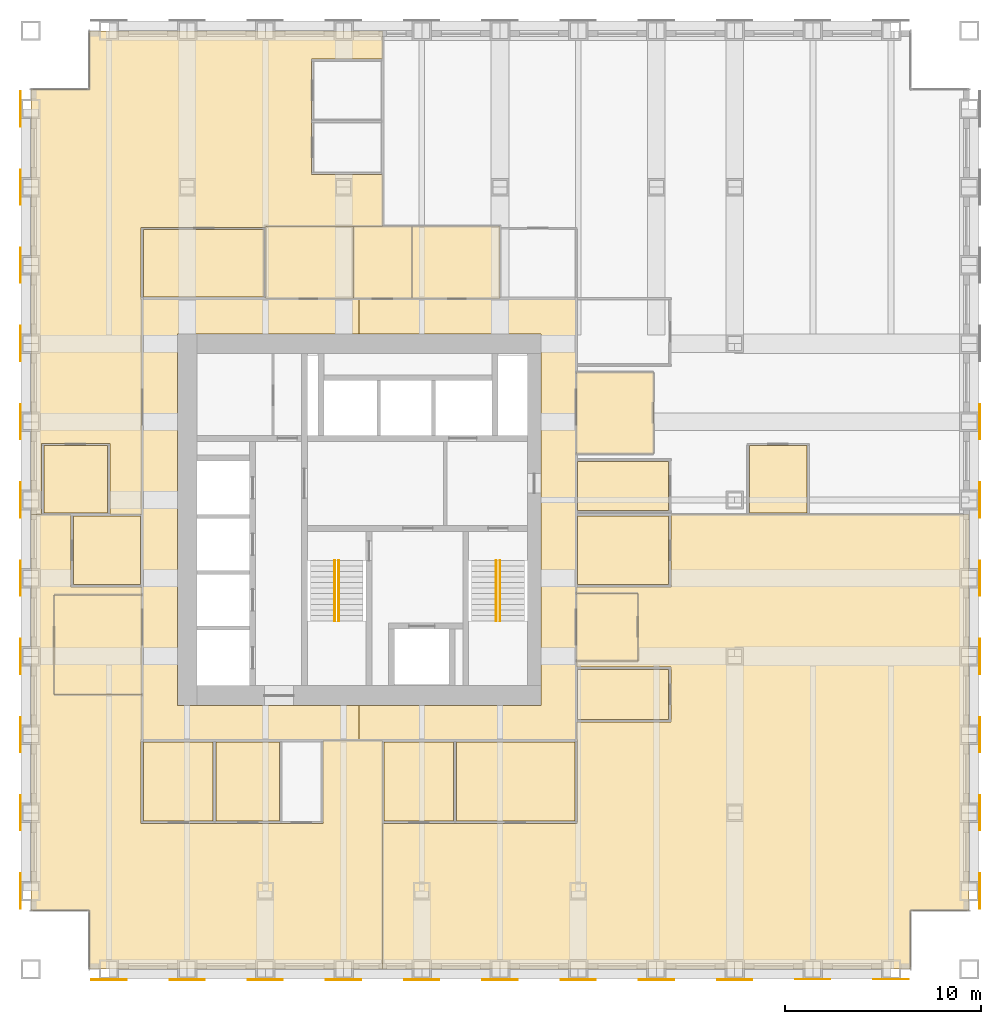
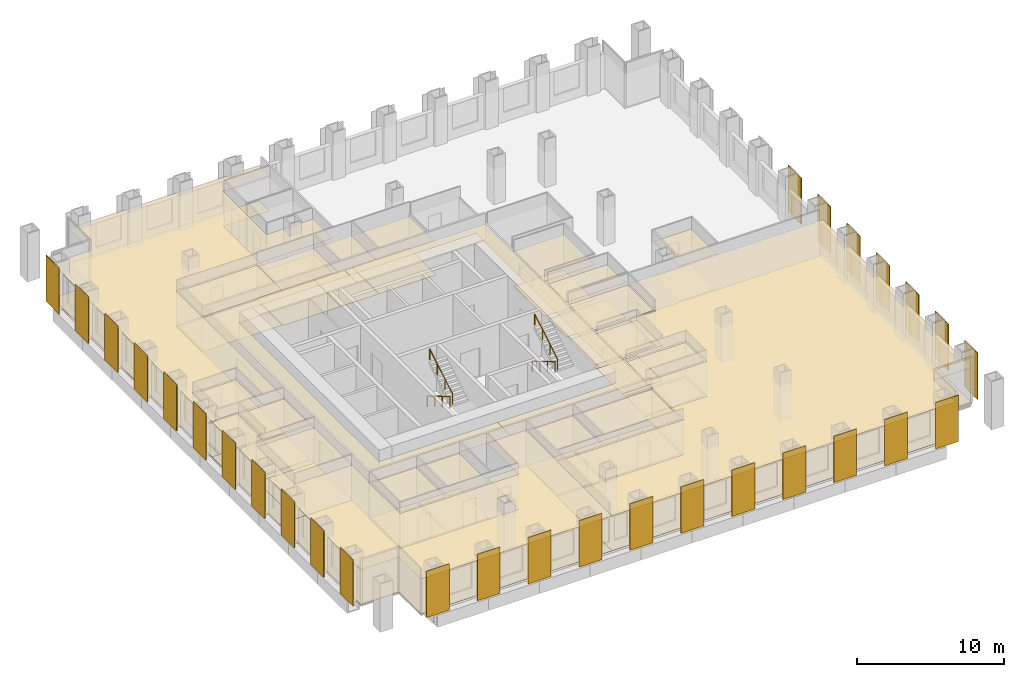
# One storey, part 15 of 16: 42 coverings, 29 shading devices, 4 railings.
"""IFC4 building model written with IfcOpenShell, lengths in metres."""

from ifc_helpers import new_model, si_unit, direction, frame, origin, origin_2d, place, context, subcontext, project, spatial, polyline, rectangle, circle, outline, extrude, material, layer, layer_set, type_object, element, save


model = new_model("IFC4")

# Units and contexts
model_context = context("Model", 3, precision=1e-05, world=origin(), true_north=direction((0.0, 1.0)))
body_context = subcontext(model_context, "Body", "Model", "MODEL_VIEW")
ifc_project = project(units=[si_unit("LENGTHUNIT", "METRE"), si_unit("AREAUNIT", "SQUARE_METRE"), si_unit("VOLUMEUNIT", "CUBIC_METRE"), si_unit("PLANEANGLEUNIT", "RADIAN"), si_unit("MASSUNIT", "GRAM", prefix="KILO")], contexts=[model_context])

# Site, building, storey
site_placement = place(None, origin())
site = spatial("IfcSite", under=ifc_project, at=site_placement, CompositionType="ELEMENT")
building_placement = place(site_placement, origin())
building = spatial("IfcBuilding", under=site, at=building_placement, Name="Rimbunsela Tower", CompositionType="ELEMENT")
storey_placement = place(building_placement, frame((0.0, 0.0, 125.39990234375)))
storey = spatial("IfcBuildingStorey", under=building, at=storey_placement, Name="L30", CompositionType="ELEMENT", Elevation=125.39990234375)

# Coverings
ifc_material_1 = material(Name="Nylon carpet tile", Category="textile")
ifc_layer_1 = layer(ifc_material_1, 0.010009765625)
ifc_layer_set_1 = layer_set([ifc_layer_1], Name="Carpet tile 10")
covering_type_1 = type_object("IfcCoveringType", Name="Carpet tile 10", PredefinedType="FLOORING", material=ifc_layer_set_1)
covering_1_placement = place(storey_placement, origin())
element("IfcCovering", 1, at=covering_1_placement, inside=storey, type_object=covering_type_1, Name="Floor finish Open office", PredefinedType="FLOORING", context=body_context, shape_type="SweptSolid", body=[
    extrude(outline(polyline([(19.449951171875, 11.449951171875), (22.75, 11.449951171875), (22.85009765625, 11.449951171875), (24.949951171875, 11.449951171875), (24.949951171875, 15.699951171875), (27.9990234375, 15.699951171875), (27.9990234375, 4.0), (15.699951171875, 4.0), (13.0, 4.0), (13.0, 7.0), (10.0, 7.0), (10.0, 27.2490234375), (12.050048828125, 27.2490234375), (12.050048828125, 23.549072265625), (15.699951171875, 23.549072265625), (15.699951171875, 23.14892578125), (11.199951171875, 23.14892578125), (11.199951171875, 18.049072265625), (15.699951171875, 18.049072265625), (15.699951171875, 15.75), (15.64990234375, 15.75), (15.64990234375, 11.449951171875), (15.699951171875, 11.449951171875), (19.35009765625, 11.449951171875), (19.449951171875, 11.449951171875)])), origin(), (0.0, 0.0, 1.0), 0.010009765625),
])
covering_2_placement = place(storey_placement, origin())
element("IfcCovering", 2, at=covering_2_placement, inside=storey, type_object=covering_type_1, Name="Floor finish Open office", PredefinedType="FLOORING", context=body_context, shape_type="SweptSolid", body=[
    extrude(outline(polyline([(15.64990234375, 41.949951171875), (15.64990234375, 38.25), (15.699951171875, 38.25), (15.699951171875, 27.2509765625), (14.050048828125, 27.2509765625), (14.050048828125, 30.89990234375), (10.550048828125, 30.89990234375), (10.550048828125, 27.2509765625), (10.0, 27.2509765625), (10.0, 49.0), (13.0, 49.0), (13.0, 52.0), (15.699951171875, 52.0), (27.9990234375, 52.0), (27.9990234375, 50.550048828125), (24.35009765625, 50.550048828125), (24.35009765625, 47.39990234375), (24.35009765625, 47.35009765625), (24.35009765625, 44.64990234375), (27.9990234375, 44.64990234375), (27.9990234375, 42.0), (22.0, 42.0), (22.0, 41.949951171875), (15.699951171875, 41.949951171875), (15.64990234375, 41.949951171875)])), origin(), (0.0, 0.0, 1.0), 0.010009765625),
])
covering_3_placement = place(storey_placement, origin())
element("IfcCovering", 3, at=covering_3_placement, inside=storey, type_object=covering_type_1, Name="Floor finish Open office", PredefinedType="FLOORING", context=body_context, shape_type="SweptSolid", body=[
    extrude(outline(polyline([(28.0009765625, 11.449951171875), (31.65087890625, 11.449951171875), (31.7509765625, 11.449951171875), (37.89990234375, 11.449951171875), (37.949951171875, 11.449951171875), (37.949951171875, 15.75), (37.89990234375, 15.75), (37.89990234375, 16.64990234375), (42.75, 16.64990234375), (42.75, 19.448974609375), (37.89990234375, 19.448974609375), (37.89990234375, 19.77392578125), (41.050048828125, 19.77392578125), (41.050048828125, 23.22412109375), (37.89990234375, 23.22412109375), (37.89990234375, 23.549072265625), (42.75, 23.549072265625), (42.75, 27.2490234375), (58.0, 27.2490234375), (58.0, 7.0), (55.0, 7.0), (55.0, 4.0), (37.89990234375, 4.0), (28.0009765625, 4.0), (28.0009765625, 11.449951171875)])), origin(), (0.0, 0.0, 1.0), 0.010009765625),
])
covering_4_placement = place(storey_placement, origin())
element("IfcCovering", 4, at=covering_4_placement, inside=storey, type_object=covering_type_1, Name="Floor finish Reception", PredefinedType="FLOORING", context=body_context, shape_type="SweptSolid", body=[
    extrude(outline(polyline([(15.699951171875, 18.049072265625), (15.699951171875, 23.14892578125), (11.199951171875, 23.14892578125), (11.199951171875, 18.049072265625), (15.699951171875, 18.049072265625)])), origin(), (0.0, 0.0, 1.0), 0.010009765625),
])
covering_5_placement = place(storey_placement, origin())
element("IfcCovering", 5, at=covering_5_placement, inside=storey, type_object=covering_type_1, Name="Floor finish Reception", PredefinedType="FLOORING", context=body_context, shape_type="SweptSolid", body=[
    extrude(outline(polyline([(41.050048828125, 19.77392578125), (41.050048828125, 23.22412109375), (37.89990234375, 23.22412109375), (37.89990234375, 19.77392578125), (41.050048828125, 19.77392578125)])), origin(), (0.0, 0.0, 1.0), 0.010009765625),
])
covering_6_placement = place(storey_placement, origin())
element("IfcCovering", 6, at=covering_6_placement, inside=storey, type_object=covering_type_1, Name="Floor finish Reception", PredefinedType="FLOORING", context=body_context, shape_type="SweptSolid", body=[
    extrude(outline(polyline([(41.85009765625, 30.3759765625), (41.85009765625, 34.52587890625), (37.89990234375, 34.52587890625), (37.89990234375, 30.3759765625), (41.85009765625, 30.3759765625)])), origin(), (0.0, 0.0, 1.0), 0.010009765625),
])
covering_7_placement = place(storey_placement, origin())
element("IfcCovering", 7, at=covering_7_placement, inside=storey, type_object=covering_type_1, Name="Floor finish Meeting room", PredefinedType="FLOORING", context=body_context, shape_type="SweptSolid", body=[
    extrude(outline(polyline([(19.324951171875, 11.574951171875), (19.324951171875, 15.625), (15.77490234375, 15.625), (15.77490234375, 11.574951171875), (19.324951171875, 11.574951171875)])), origin(), (0.0, 0.0, 1.0), 0.010009765625),
])
covering_8_placement = place(storey_placement, origin())
element("IfcCovering", 8, at=covering_8_placement, inside=storey, type_object=covering_type_1, Name="Floor finish Pantry", PredefinedType="FLOORING", context=body_context, shape_type="SweptSolid", body=[
    extrude(outline(polyline([(22.72509765625, 11.574951171875), (22.72509765625, 15.625), (19.47509765625, 15.625), (19.47509765625, 11.574951171875), (22.72509765625, 11.574951171875)])), origin(), (0.0, 0.0, 1.0), 0.010009765625),
])
covering_9_placement = place(storey_placement, origin())
element("IfcCovering", 9, at=covering_9_placement, inside=storey, type_object=covering_type_1, Name="Floor finish Office", PredefinedType="FLOORING", context=body_context, shape_type="SweptSolid", body=[
    extrude(outline(polyline([(15.625, 23.674072265625), (15.625, 27.174072265625), (12.175048828125, 27.174072265625), (12.175048828125, 23.674072265625), (15.625, 23.674072265625)])), origin(), (0.0, 0.0, 1.0), 0.010009765625),
])
covering_10_placement = place(storey_placement, origin())
element("IfcCovering", 10, at=covering_10_placement, inside=storey, type_object=covering_type_1, Name="Floor finish Meeting room", PredefinedType="FLOORING", context=body_context, shape_type="SweptSolid", body=[
    extrude(outline(polyline([(21.925048828125, 38.375), (21.925048828125, 41.824951171875), (15.77490234375, 41.824951171875), (15.77490234375, 38.375), (21.925048828125, 38.375)])), origin(), (0.0, 0.0, 1.0), 0.010009765625),
])
covering_11_placement = place(storey_placement, origin())
element("IfcCovering", 11, at=covering_11_placement, inside=storey, type_object=covering_type_1, Name="Floor finish Meeting room", PredefinedType="FLOORING", context=body_context, shape_type="SweptSolid", body=[
    extrude(outline(polyline([(31.6259765625, 11.574951171875), (31.6259765625, 15.625), (28.075927734375, 15.625), (28.075927734375, 11.574951171875), (31.6259765625, 11.574951171875)])), origin(), (0.0, 0.0, 1.0), 0.010009765625),
])
covering_12_placement = place(storey_placement, origin())
element("IfcCovering", 12, at=covering_12_placement, inside=storey, type_object=covering_type_1, Name="Floor finish Pantry", PredefinedType="FLOORING", context=body_context, shape_type="SweptSolid", body=[
    extrude(outline(polyline([(37.824951171875, 11.574951171875), (37.824951171875, 15.625), (31.77587890625, 15.625), (31.77587890625, 11.574951171875), (37.824951171875, 11.574951171875)])), origin(), (0.0, 0.0, 1.0), 0.010009765625),
])
covering_13_placement = place(storey_placement, origin())
element("IfcCovering", 13, at=covering_13_placement, inside=storey, type_object=covering_type_1, Name="Floor finish Print and copy room", PredefinedType="FLOORING", context=body_context, shape_type="SweptSolid", body=[
    extrude(outline(polyline([(42.625, 16.77490234375), (42.625, 19.323974609375), (37.97509765625, 19.323974609375), (37.97509765625, 16.77490234375), (42.625, 16.77490234375)])), origin(), (0.0, 0.0, 1.0), 0.010009765625),
])
covering_14_placement = place(storey_placement, origin())
element("IfcCovering", 14, at=covering_14_placement, inside=storey, type_object=covering_type_1, Name="Floor finish Office", PredefinedType="FLOORING", context=body_context, shape_type="SweptSolid", body=[
    extrude(outline(polyline([(42.625, 23.674072265625), (42.625, 27.174072265625), (37.97509765625, 27.174072265625), (37.97509765625, 23.674072265625), (42.625, 23.674072265625)])), origin(), (0.0, 0.0, 1.0), 0.010009765625),
])
covering_15_placement = place(storey_placement, origin())
element("IfcCovering", 15, at=covering_15_placement, inside=storey, type_object=covering_type_1, Name="Floor finish Pantry", PredefinedType="FLOORING", context=body_context, shape_type="SweptSolid", body=[
    extrude(outline(polyline([(13.925048828125, 27.324951171875), (13.925048828125, 30.77490234375), (10.675048828125, 30.77490234375), (10.675048828125, 27.324951171875), (13.925048828125, 27.324951171875)])), origin(), (0.0, 0.0, 1.0), 0.010009765625),
])
covering_16_placement = place(storey_placement, origin())
element("IfcCovering", 16, at=covering_16_placement, inside=storey, type_object=covering_type_1, Name="Floor finish Print and copy room", PredefinedType="FLOORING", context=body_context, shape_type="SweptSolid", body=[
    extrude(outline(polyline([(42.625, 27.47509765625), (42.625, 29.97509765625), (37.97509765625, 29.97509765625), (37.97509765625, 27.47509765625), (42.625, 27.47509765625)])), origin(), (0.0, 0.0, 1.0), 0.010009765625),
])
covering_17_placement = place(storey_placement, origin())
element("IfcCovering", 17, at=covering_17_placement, inside=storey, type_object=covering_type_1, Name="Floor finish Office", PredefinedType="FLOORING", context=body_context, shape_type="SweptSolid", body=[
    extrude(outline(polyline([(49.699951171875, 27.324951171875), (49.699951171875, 30.77490234375), (46.75, 30.77490234375), (46.75, 27.324951171875), (49.699951171875, 27.324951171875)])), origin(), (0.0, 0.0, 1.0), 0.010009765625),
])
ifc_material_2 = material(Name="Mineral fibre ceiling tile", Category="gypsum")
ifc_layer_2 = layer(ifc_material_2, 0.02001953125)
ifc_layer_set_2 = layer_set([ifc_layer_2], Name="Ceiling 600 grid")
covering_type_2 = type_object("IfcCoveringType", Name="Ceiling 600 grid", PredefinedType="CEILING", material=ifc_layer_set_2)
covering_18_placement = place(storey_placement, frame((0.0, 0.0, 2.900146484375)))
element("IfcCovering", 18, at=covering_18_placement, inside=storey, type_object=covering_type_2, Name="Ceiling Ring corridor", PredefinedType="CEILING", context=body_context, shape_type="SweptSolid", body=[
    extrude(outline(polyline([(15.699951171875, 38.300048828125), (26.800048828125, 38.300048828125), (26.800048828125, 36.5), (17.5, 36.5), (17.5, 17.5), (26.800048828125, 17.5), (26.800048828125, 15.699951171875), (15.699951171875, 15.699951171875), (15.699951171875, 38.300048828125)])), origin(), (0.0, 0.0, 1.0), 0.02001953125),
])
covering_19_placement = place(storey_placement, frame((0.0, 0.0, 2.900146484375)))
element("IfcCovering", 19, at=covering_19_placement, inside=storey, type_object=covering_type_2, Name="Ceiling Ring corridor", PredefinedType="CEILING", context=body_context, shape_type="SweptSolid", body=[
    extrude(outline(polyline([(37.89990234375, 38.300048828125), (37.89990234375, 15.699951171875), (26.800048828125, 15.699951171875), (26.800048828125, 17.5), (36.10009765625, 17.5), (36.10009765625, 36.5), (26.800048828125, 36.5), (26.800048828125, 38.300048828125), (37.89990234375, 38.300048828125)])), origin(), (0.0, 0.0, 1.0), 0.02001953125),
])
covering_20_placement = place(storey_placement, frame((0.0, 0.0, 2.900146484375)))
element("IfcCovering", 20, at=covering_20_placement, inside=storey, type_object=covering_type_2, Name="Ceiling Open office", PredefinedType="CEILING", context=body_context, shape_type="SweptSolid", body=[
    extrude(outline(polyline([(19.449951171875, 11.449951171875), (22.75, 11.449951171875), (22.85009765625, 11.449951171875), (24.949951171875, 11.449951171875), (24.949951171875, 15.699951171875), (27.9990234375, 15.699951171875), (27.9990234375, 4.0), (15.699951171875, 4.0), (13.0, 4.0), (13.0, 7.0), (10.0, 7.0), (10.0, 27.2490234375), (12.050048828125, 27.2490234375), (12.050048828125, 23.549072265625), (15.699951171875, 23.549072265625), (15.699951171875, 23.14892578125), (11.199951171875, 23.14892578125), (11.199951171875, 18.049072265625), (15.699951171875, 18.049072265625), (15.699951171875, 15.75), (15.64990234375, 15.75), (15.64990234375, 11.449951171875), (15.699951171875, 11.449951171875), (19.35009765625, 11.449951171875), (19.449951171875, 11.449951171875)])), origin(), (0.0, 0.0, 1.0), 0.02001953125),
])
covering_21_placement = place(storey_placement, frame((0.0, 0.0, 2.900146484375)))
element("IfcCovering", 21, at=covering_21_placement, inside=storey, type_object=covering_type_2, Name="Ceiling Open office", PredefinedType="CEILING", context=body_context, shape_type="SweptSolid", body=[
    extrude(outline(polyline([(15.64990234375, 41.949951171875), (15.64990234375, 38.25), (15.699951171875, 38.25), (15.699951171875, 27.2509765625), (14.050048828125, 27.2509765625), (14.050048828125, 30.89990234375), (10.550048828125, 30.89990234375), (10.550048828125, 27.2509765625), (10.0, 27.2509765625), (10.0, 49.0), (13.0, 49.0), (13.0, 52.0), (15.699951171875, 52.0), (27.9990234375, 52.0), (27.9990234375, 50.550048828125), (24.35009765625, 50.550048828125), (24.35009765625, 47.39990234375), (24.35009765625, 47.35009765625), (24.35009765625, 44.64990234375), (27.9990234375, 44.64990234375), (27.9990234375, 42.0), (22.0, 42.0), (22.0, 41.949951171875), (15.699951171875, 41.949951171875), (15.64990234375, 41.949951171875)])), origin(), (0.0, 0.0, 1.0), 0.02001953125),
])
covering_22_placement = place(storey_placement, frame((0.0, 0.0, 2.900146484375)))
element("IfcCovering", 22, at=covering_22_placement, inside=storey, type_object=covering_type_2, Name="Ceiling Open office", PredefinedType="CEILING", context=body_context, shape_type="SweptSolid", body=[
    extrude(outline(polyline([(28.0009765625, 11.449951171875), (31.65087890625, 11.449951171875), (31.7509765625, 11.449951171875), (37.89990234375, 11.449951171875), (37.949951171875, 11.449951171875), (37.949951171875, 15.75), (37.89990234375, 15.75), (37.89990234375, 16.64990234375), (42.75, 16.64990234375), (42.75, 19.448974609375), (37.89990234375, 19.448974609375), (37.89990234375, 19.77392578125), (41.050048828125, 19.77392578125), (41.050048828125, 23.22412109375), (37.89990234375, 23.22412109375), (37.89990234375, 23.549072265625), (42.75, 23.549072265625), (42.75, 27.2490234375), (58.0, 27.2490234375), (58.0, 7.0), (55.0, 7.0), (55.0, 4.0), (37.89990234375, 4.0), (28.0009765625, 4.0), (28.0009765625, 11.449951171875)])), origin(), (0.0, 0.0, 1.0), 0.02001953125),
])
covering_23_placement = place(storey_placement, frame((0.0, 0.0, 2.900146484375)))
element("IfcCovering", 23, at=covering_23_placement, inside=storey, type_object=covering_type_2, Name="Ceiling Reception", PredefinedType="CEILING", context=body_context, shape_type="SweptSolid", body=[
    extrude(outline(polyline([(15.699951171875, 18.049072265625), (15.699951171875, 23.14892578125), (11.199951171875, 23.14892578125), (11.199951171875, 18.049072265625), (15.699951171875, 18.049072265625)])), origin(), (0.0, 0.0, 1.0), 0.02001953125),
])
covering_24_placement = place(storey_placement, frame((0.0, 0.0, 2.900146484375)))
element("IfcCovering", 24, at=covering_24_placement, inside=storey, type_object=covering_type_2, Name="Ceiling Reception", PredefinedType="CEILING", context=body_context, shape_type="SweptSolid", body=[
    extrude(outline(polyline([(41.050048828125, 19.77392578125), (41.050048828125, 23.22412109375), (37.89990234375, 23.22412109375), (37.89990234375, 19.77392578125), (41.050048828125, 19.77392578125)])), origin(), (0.0, 0.0, 1.0), 0.02001953125),
])
covering_25_placement = place(storey_placement, frame((0.0, 0.0, 2.900146484375)))
element("IfcCovering", 25, at=covering_25_placement, inside=storey, type_object=covering_type_2, Name="Ceiling Reception", PredefinedType="CEILING", context=body_context, shape_type="SweptSolid", body=[
    extrude(outline(polyline([(41.85009765625, 30.3759765625), (41.85009765625, 34.52587890625), (37.89990234375, 34.52587890625), (37.89990234375, 30.3759765625), (41.85009765625, 30.3759765625)])), origin(), (0.0, 0.0, 1.0), 0.02001953125),
])
covering_26_placement = place(storey_placement, frame((0.0, 0.0, 2.900146484375)))
element("IfcCovering", 26, at=covering_26_placement, inside=storey, type_object=covering_type_2, Name="Ceiling Meeting room", PredefinedType="CEILING", context=body_context, shape_type="SweptSolid", body=[
    extrude(outline(polyline([(19.324951171875, 11.574951171875), (19.324951171875, 15.625), (15.77490234375, 15.625), (15.77490234375, 11.574951171875), (19.324951171875, 11.574951171875)])), origin(), (0.0, 0.0, 1.0), 0.02001953125),
])
covering_27_placement = place(storey_placement, frame((0.0, 0.0, 2.900146484375)))
element("IfcCovering", 27, at=covering_27_placement, inside=storey, type_object=covering_type_2, Name="Ceiling Pantry", PredefinedType="CEILING", context=body_context, shape_type="SweptSolid", body=[
    extrude(outline(polyline([(22.72509765625, 11.574951171875), (22.72509765625, 15.625), (19.47509765625, 15.625), (19.47509765625, 11.574951171875), (22.72509765625, 11.574951171875)])), origin(), (0.0, 0.0, 1.0), 0.02001953125),
])
covering_28_placement = place(storey_placement, frame((0.0, 0.0, 2.900146484375)))
element("IfcCovering", 28, at=covering_28_placement, inside=storey, type_object=covering_type_2, Name="Ceiling Office", PredefinedType="CEILING", context=body_context, shape_type="SweptSolid", body=[
    extrude(outline(polyline([(15.625, 23.674072265625), (15.625, 27.174072265625), (12.175048828125, 27.174072265625), (12.175048828125, 23.674072265625), (15.625, 23.674072265625)])), origin(), (0.0, 0.0, 1.0), 0.02001953125),
])
covering_29_placement = place(storey_placement, frame((0.0, 0.0, 2.900146484375)))
element("IfcCovering", 29, at=covering_29_placement, inside=storey, type_object=covering_type_2, Name="Ceiling Meeting room", PredefinedType="CEILING", context=body_context, shape_type="SweptSolid", body=[
    extrude(outline(polyline([(21.925048828125, 38.375), (21.925048828125, 41.824951171875), (15.77490234375, 41.824951171875), (15.77490234375, 38.375), (21.925048828125, 38.375)])), origin(), (0.0, 0.0, 1.0), 0.02001953125),
])
covering_30_placement = place(storey_placement, frame((0.0, 0.0, 2.900146484375)))
element("IfcCovering", 30, at=covering_30_placement, inside=storey, type_object=covering_type_2, Name="Ceiling Meeting room", PredefinedType="CEILING", context=body_context, shape_type="SweptSolid", body=[
    extrude(outline(polyline([(31.6259765625, 11.574951171875), (31.6259765625, 15.625), (28.075927734375, 15.625), (28.075927734375, 11.574951171875), (31.6259765625, 11.574951171875)])), origin(), (0.0, 0.0, 1.0), 0.02001953125),
])
covering_31_placement = place(storey_placement, frame((0.0, 0.0, 2.900146484375)))
element("IfcCovering", 31, at=covering_31_placement, inside=storey, type_object=covering_type_2, Name="Ceiling Pantry", PredefinedType="CEILING", context=body_context, shape_type="SweptSolid", body=[
    extrude(outline(polyline([(37.824951171875, 11.574951171875), (37.824951171875, 15.625), (31.77587890625, 15.625), (31.77587890625, 11.574951171875), (37.824951171875, 11.574951171875)])), origin(), (0.0, 0.0, 1.0), 0.02001953125),
])
covering_32_placement = place(storey_placement, frame((0.0, 0.0, 2.900146484375)))
element("IfcCovering", 32, at=covering_32_placement, inside=storey, type_object=covering_type_2, Name="Ceiling Print and copy room", PredefinedType="CEILING", context=body_context, shape_type="SweptSolid", body=[
    extrude(outline(polyline([(42.625, 16.77490234375), (42.625, 19.323974609375), (37.97509765625, 19.323974609375), (37.97509765625, 16.77490234375), (42.625, 16.77490234375)])), origin(), (0.0, 0.0, 1.0), 0.02001953125),
])
covering_33_placement = place(storey_placement, frame((0.0, 0.0, 2.900146484375)))
element("IfcCovering", 33, at=covering_33_placement, inside=storey, type_object=covering_type_2, Name="Ceiling Office", PredefinedType="CEILING", context=body_context, shape_type="SweptSolid", body=[
    extrude(outline(polyline([(42.625, 23.674072265625), (42.625, 27.174072265625), (37.97509765625, 27.174072265625), (37.97509765625, 23.674072265625), (42.625, 23.674072265625)])), origin(), (0.0, 0.0, 1.0), 0.02001953125),
])
covering_34_placement = place(storey_placement, frame((0.0, 0.0, 2.900146484375)))
element("IfcCovering", 34, at=covering_34_placement, inside=storey, type_object=covering_type_2, Name="Ceiling Pantry", PredefinedType="CEILING", context=body_context, shape_type="SweptSolid", body=[
    extrude(outline(polyline([(13.925048828125, 27.324951171875), (13.925048828125, 30.77490234375), (10.675048828125, 30.77490234375), (10.675048828125, 27.324951171875), (13.925048828125, 27.324951171875)])), origin(), (0.0, 0.0, 1.0), 0.02001953125),
])
covering_35_placement = place(storey_placement, frame((0.0, 0.0, 2.900146484375)))
element("IfcCovering", 35, at=covering_35_placement, inside=storey, type_object=covering_type_2, Name="Ceiling Print and copy room", PredefinedType="CEILING", context=body_context, shape_type="SweptSolid", body=[
    extrude(outline(polyline([(42.625, 27.47509765625), (42.625, 29.97509765625), (37.97509765625, 29.97509765625), (37.97509765625, 27.47509765625), (42.625, 27.47509765625)])), origin(), (0.0, 0.0, 1.0), 0.02001953125),
])
covering_36_placement = place(storey_placement, frame((0.0, 0.0, 2.900146484375)))
element("IfcCovering", 36, at=covering_36_placement, inside=storey, type_object=covering_type_2, Name="Ceiling Office", PredefinedType="CEILING", context=body_context, shape_type="SweptSolid", body=[
    extrude(outline(polyline([(49.699951171875, 27.324951171875), (49.699951171875, 30.77490234375), (46.75, 30.77490234375), (46.75, 27.324951171875), (49.699951171875, 27.324951171875)])), origin(), (0.0, 0.0, 1.0), 0.02001953125),
])
ifc_material_3 = material(Name="Moisture-resistant plasterboard ceiling", Category="gypsum")
ifc_layer_3 = layer(ifc_material_3, 0.012451171875)
ifc_layer_set_3 = layer_set([ifc_layer_3], Name="Ceiling moisture-resistant board")
covering_type_3 = type_object("IfcCoveringType", Name="Ceiling moisture-resistant board", PredefinedType="CEILING", material=ifc_layer_set_3)
covering_37_placement = place(storey_placement, frame((0.0, 0.0, 2.60009765625)))
element("IfcCovering", 37, at=covering_37_placement, inside=storey, type_object=covering_type_3, Name="Ceiling Female WC", PredefinedType="CEILING", context=body_context, shape_type="SweptSolid", body=[
    extrude(outline(polyline([(26.5, 38.300048828125), (26.5, 42.0), (22.0, 42.0), (22.0, 38.300048828125), (26.5, 38.300048828125)])), origin(), (0.0, 0.0, 1.0), 0.02001953125),
])
covering_38_placement = place(storey_placement, frame((0.0, 0.0, 2.60009765625)))
element("IfcCovering", 38, at=covering_38_placement, inside=storey, type_object=covering_type_3, Name="Ceiling Accessible WC", PredefinedType="CEILING", context=body_context, shape_type="SweptSolid", body=[
    extrude(outline(polyline([(29.5, 38.300048828125), (29.5, 42.0), (26.5, 42.0), (26.5, 38.300048828125), (29.5, 38.300048828125)])), origin(), (0.0, 0.0, 1.0), 0.02001953125),
])
covering_39_placement = place(storey_placement, frame((0.0, 0.0, 2.60009765625)))
element("IfcCovering", 39, at=covering_39_placement, inside=storey, type_object=covering_type_3, Name="Ceiling Male WC", PredefinedType="CEILING", context=body_context, shape_type="SweptSolid", body=[
    extrude(outline(polyline([(34.0, 38.300048828125), (34.0, 42.0), (29.5, 42.0), (29.5, 38.300048828125), (34.0, 38.300048828125)])), origin(), (0.0, 0.0, 1.0), 0.02001953125),
])
ifc_material_4 = material(Name="Porcelain floor tile in adhesive bed", Category="ceramic")
ifc_layer_4 = layer(ifc_material_4, 0.02001953125)
ifc_layer_set_4 = layer_set([ifc_layer_4], Name="Porcelain tile 20")
covering_type_4 = type_object("IfcCoveringType", Name="Porcelain tile 20", PredefinedType="FLOORING", material=ifc_layer_set_4)
covering_40_placement = place(storey_placement, origin())
element("IfcCovering", 40, at=covering_40_placement, inside=storey, type_object=covering_type_4, Name="Floor finish Female WC", PredefinedType="FLOORING", context=body_context, shape_type="SweptSolid", body=[
    extrude(outline(polyline([(26.5, 38.300048828125), (26.5, 42.0), (22.0, 42.0), (22.0, 38.300048828125), (26.5, 38.300048828125)])), origin(), (0.0, 0.0, 1.0), 0.02001953125),
])
covering_41_placement = place(storey_placement, origin())
element("IfcCovering", 41, at=covering_41_placement, inside=storey, type_object=covering_type_4, Name="Floor finish Accessible WC", PredefinedType="FLOORING", context=body_context, shape_type="SweptSolid", body=[
    extrude(outline(polyline([(29.5, 38.300048828125), (29.5, 42.0), (26.5, 42.0), (26.5, 38.300048828125), (29.5, 38.300048828125)])), origin(), (0.0, 0.0, 1.0), 0.02001953125),
])
covering_42_placement = place(storey_placement, origin())
element("IfcCovering", 42, at=covering_42_placement, inside=storey, type_object=covering_type_4, Name="Floor finish Male WC", PredefinedType="FLOORING", context=body_context, shape_type="SweptSolid", body=[
    extrude(outline(polyline([(34.0, 38.300048828125), (34.0, 42.0), (29.5, 42.0), (29.5, 38.300048828125), (34.0, 38.300048828125)])), origin(), (0.0, 0.0, 1.0), 0.02001953125),
])

# Shading devices
ifc_material_5 = material(Name="Perforated aluminium, 35 % open area", Category="aluminium")
ifc_layer_5 = layer(ifc_material_5, 0.050048828125)
ifc_layer_set_5 = layer_set([ifc_layer_5], Name="Solar screen panel 1800")
shading_device_type = type_object("IfcShadingDeviceType", Name="Solar screen panel 1800", PredefinedType="USERDEFINED", material=ifc_layer_set_5)
for number, where, z_axis, x_axis, name in (
    (43, (14.0, 3.47509765625, 0.0), (0.0, 0.0, 1.0), (1.0, 0.0, 0.0), "Solar screen S L30"),
    (44, (18.0, 3.47509765625, 0.0), (0.0, 0.0, 1.0), (1.0, 0.0, 0.0), "Solar screen S L30"),
    (45, (22.0, 3.47509765625, 0.0), (0.0, 0.0, 1.0), (1.0, 0.0, 0.0), "Solar screen S L30"),
    (46, (26.0, 3.47509765625, 0.0), (0.0, 0.0, 1.0), (1.0, 0.0, 0.0), "Solar screen S L30"),
    (47, (30.0, 3.47509765625, 0.0), (0.0, 0.0, 1.0), (1.0, 0.0, 0.0), "Solar screen S L30"),
    (48, (34.0, 3.47509765625, 0.0), (0.0, 0.0, 1.0), (1.0, 0.0, 0.0), "Solar screen S L30"),
    (49, (38.0, 3.47509765625, 0.0), (0.0, 0.0, 1.0), (1.0, 0.0, 0.0), "Solar screen S L30"),
    (50, (42.0, 3.47509765625, 0.0), (0.0, 0.0, 1.0), (1.0, 0.0, 0.0), "Solar screen S L30"),
    (51, (46.0, 3.47509765625, 0.0), (0.0, 0.0, 1.0), (1.0, 0.0, 0.0), "Solar screen S L30"),
    (52, (50.0, 3.47509765625, 0.0), (0.0, 0.0, 1.0), (1.0, 0.0, 0.0), "Solar screen S L30"),
    (53, (54.0, 3.47509765625, 0.0), (0.0, 0.0, 1.0), (1.0, 0.0, 0.0), "Solar screen S L30"),
    (54, (58.52490234375, 8.0, 0.0), (0.0, 0.0, 1.0), (0.0, 1.0, 0.0), "Solar screen E L30"),
    (55, (58.52490234375, 12.0, 0.0), (0.0, 0.0, 1.0), (0.0, 1.0, 0.0), "Solar screen E L30"),
    (56, (58.52490234375, 16.0, 0.0), (0.0, 0.0, 1.0), (0.0, 1.0, 0.0), "Solar screen E L30"),
    (57, (58.52490234375, 20.0, 0.0), (0.0, 0.0, 1.0), (0.0, 1.0, 0.0), "Solar screen E L30"),
    (58, (58.52490234375, 24.0, 0.0), (0.0, 0.0, 1.0), (0.0, 1.0, 0.0), "Solar screen E L30"),
    (59, (58.52490234375, 28.0, 0.0), (0.0, 0.0, 1.0), (0.0, 1.0, 0.0), "Solar screen E L30"),
    (60, (58.52490234375, 32.0, 0.0), (0.0, 0.0, 1.0), (0.0, 1.0, 0.0), "Solar screen E L30"),
    (61, (9.47509765625, 8.0, 0.0), (0.0, 0.0, 1.0), (0.0, 1.0, 0.0), "Solar screen W L30"),
    (62, (9.47509765625, 12.0, 0.0), (0.0, 0.0, 1.0), (0.0, 1.0, 0.0), "Solar screen W L30"),
    (63, (9.47509765625, 16.0, 0.0), (0.0, 0.0, 1.0), (0.0, 1.0, 0.0), "Solar screen W L30"),
    (64, (9.47509765625, 20.0, 0.0), (0.0, 0.0, 1.0), (0.0, 1.0, 0.0), "Solar screen W L30"),
    (65, (9.47509765625, 24.0, 0.0), (0.0, 0.0, 1.0), (0.0, 1.0, 0.0), "Solar screen W L30"),
    (66, (9.47509765625, 28.0, 0.0), (0.0, 0.0, 1.0), (0.0, 1.0, 0.0), "Solar screen W L30"),
    (67, (9.47509765625, 32.0, 0.0), (0.0, 0.0, 1.0), (0.0, 1.0, 0.0), "Solar screen W L30"),
    (68, (9.47509765625, 36.0, 0.0), (0.0, 0.0, 1.0), (0.0, 1.0, 0.0), "Solar screen W L30"),
    (69, (9.47509765625, 40.0, 0.0), (0.0, 0.0, 1.0), (0.0, 1.0, 0.0), "Solar screen W L30"),
    (70, (9.47509765625, 44.0, 0.0), (0.0, 0.0, 1.0), (0.0, 1.0, 0.0), "Solar screen W L30"),
    (71, (9.47509765625, 48.0, 0.0), (0.0, 0.0, 1.0), (0.0, 1.0, 0.0), "Solar screen W L30"),
):
    element("IfcShadingDevice", number, at=place(storey_placement, frame(where, z_axis=z_axis, x_axis=x_axis)), inside=storey, type_object=shading_device_type, Name=name, ObjectType="SCREEN", PredefinedType="USERDEFINED", context=body_context, shape_type="SweptSolid", body=[
        extrude(rectangle(XDim=1.800048828125, YDim=0.050048828125, at=origin_2d()), origin(), (0.0, 0.0, 1.0), 3.85009765625),
    ])

# Railings
ifc_material_6 = material(Name="Stainless steel tube", Category="steel")
railing_type = type_object("IfcRailingType", Name="Stair handrail 900", PredefinedType="HANDRAIL", material=ifc_material_6)
railing_1_placement = place(storey_placement, frame((25.550048828125, 24.89990234375, 0.166748046875)))
element("IfcRailing", 72, at=railing_1_placement, inside=storey, type_object=railing_type, Name="Handrail ST-A flight 1", PredefinedType="HANDRAIL", context=body_context, shape_type="SweptSolid", body=[
    extrude(circle(Radius=0.02392578125, at=origin_2d()), frame((0.0, 0.0, 0.8759765625), z_axis=(0.0, -0.859290745958, 0.51148745235), x_axis=(1.0, 0.0, 0.0)), (0.0, 0.0, 1.0), 3.584228515625),
    extrude(circle(Radius=0.02099609375, at=origin_2d()), origin(), (0.0, 0.0, 1.0), 0.851806640625),
    extrude(circle(Radius=0.02099609375, at=origin_2d()), frame((0.0, -1.026611328125, 0.611083984375)), (0.0, 0.0, 1.0), 0.851806640625),
    extrude(circle(Radius=0.02099609375, at=origin_2d()), frame((0.0, -2.05322265625, 1.22216796875)), (0.0, 0.0, 1.0), 0.851806640625),
    extrude(circle(Radius=0.02099609375, at=origin_2d()), frame((0.0, -3.079833984375, 1.833251953125)), (0.0, 0.0, 1.0), 0.851806640625),
])
railing_2_placement = place(storey_placement, frame((25.75, 21.820068359375, 2.166748046875)))
element("IfcRailing", 73, at=railing_2_placement, inside=storey, type_object=railing_type, Name="Handrail ST-A flight 2", PredefinedType="HANDRAIL", context=body_context, shape_type="SweptSolid", body=[
    extrude(circle(Radius=0.02392578125, at=origin_2d()), frame((0.0, 0.0, 0.8759765625), z_axis=(0.0, 0.859290745958, 0.51148745235), x_axis=(-1.0, 0.0, 0.0)), (0.0, 0.0, 1.0), 3.584228515625),
    extrude(circle(Radius=0.02099609375, at=origin_2d()), origin(), (0.0, 0.0, 1.0), 0.851806640625),
    extrude(circle(Radius=0.02099609375, at=origin_2d()), frame((0.0, 1.026611328125, 0.611083984375)), (0.0, 0.0, 1.0), 0.851806640625),
    extrude(circle(Radius=0.02099609375, at=origin_2d()), frame((0.0, 2.05322265625, 1.22216796875)), (0.0, 0.0, 1.0), 0.851806640625),
    extrude(circle(Radius=0.02099609375, at=origin_2d()), frame((0.0, 3.079833984375, 1.833251953125)), (0.0, 0.0, 1.0), 0.851806640625),
])
railing_3_placement = place(storey_placement, frame((33.800048828125, 24.89990234375, 0.166748046875)))
element("IfcRailing", 74, at=railing_3_placement, inside=storey, type_object=railing_type, Name="Handrail ST-B flight 1", PredefinedType="HANDRAIL", context=body_context, shape_type="SweptSolid", body=[
    extrude(circle(Radius=0.02392578125, at=origin_2d()), frame((0.0, 0.0, 0.8759765625), z_axis=(0.0, -0.859290745958, 0.51148745235), x_axis=(1.0, 0.0, 0.0)), (0.0, 0.0, 1.0), 3.584228515625),
    extrude(circle(Radius=0.02099609375, at=origin_2d()), origin(), (0.0, 0.0, 1.0), 0.851806640625),
    extrude(circle(Radius=0.02099609375, at=origin_2d()), frame((0.0, -1.026611328125, 0.611083984375)), (0.0, 0.0, 1.0), 0.851806640625),
    extrude(circle(Radius=0.02099609375, at=origin_2d()), frame((0.0, -2.05322265625, 1.22216796875)), (0.0, 0.0, 1.0), 0.851806640625),
    extrude(circle(Radius=0.02099609375, at=origin_2d()), frame((0.0, -3.079833984375, 1.833251953125)), (0.0, 0.0, 1.0), 0.851806640625),
])
railing_4_placement = place(storey_placement, frame((34.0, 21.820068359375, 2.166748046875)))
element("IfcRailing", 75, at=railing_4_placement, inside=storey, type_object=railing_type, Name="Handrail ST-B flight 2", PredefinedType="HANDRAIL", context=body_context, shape_type="SweptSolid", body=[
    extrude(circle(Radius=0.02392578125, at=origin_2d()), frame((0.0, 0.0, 0.8759765625), z_axis=(0.0, 0.859290745958, 0.51148745235), x_axis=(-1.0, 0.0, 0.0)), (0.0, 0.0, 1.0), 3.584228515625),
    extrude(circle(Radius=0.02099609375, at=origin_2d()), origin(), (0.0, 0.0, 1.0), 0.851806640625),
    extrude(circle(Radius=0.02099609375, at=origin_2d()), frame((0.0, 1.026611328125, 0.611083984375)), (0.0, 0.0, 1.0), 0.851806640625),
    extrude(circle(Radius=0.02099609375, at=origin_2d()), frame((0.0, 2.05322265625, 1.22216796875)), (0.0, 0.0, 1.0), 0.851806640625),
    extrude(circle(Radius=0.02099609375, at=origin_2d()), frame((0.0, 3.079833984375, 1.833251953125)), (0.0, 0.0, 1.0), 0.851806640625),
])

save(model, "model.ifc")
